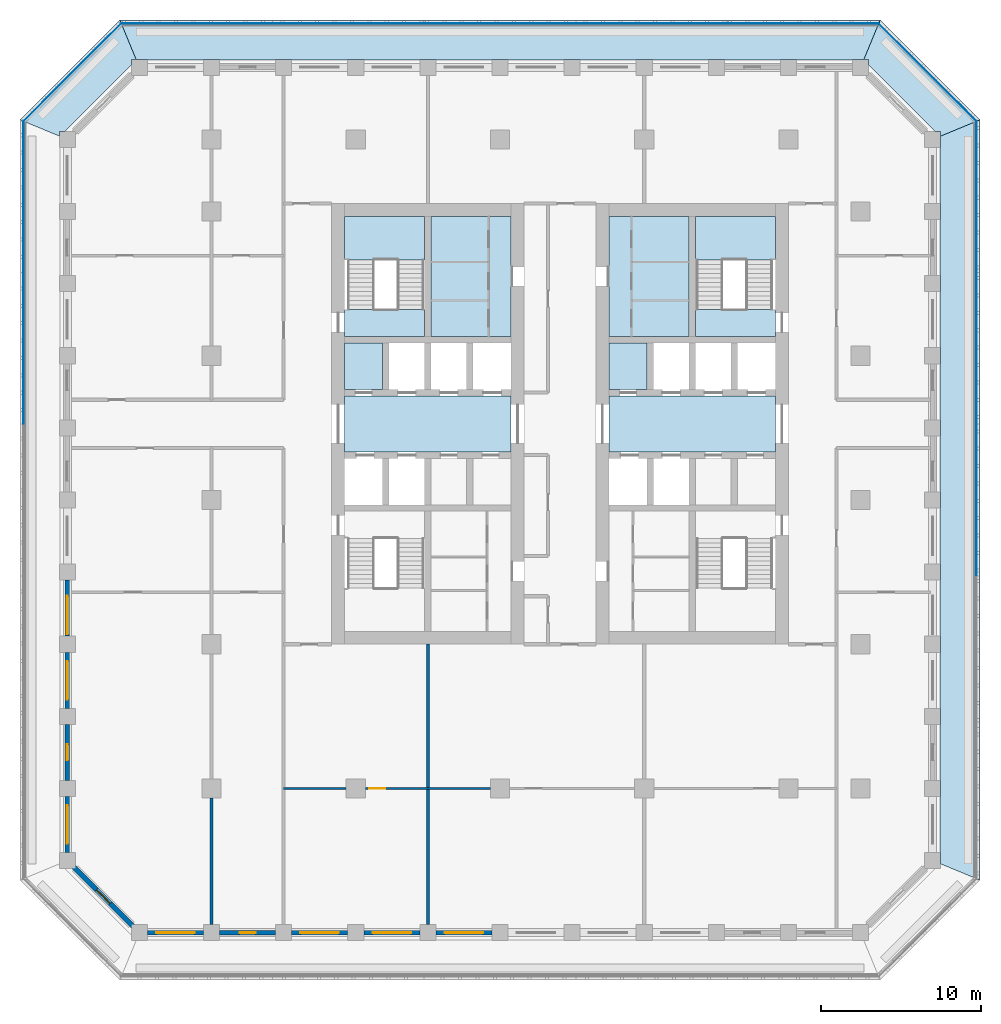
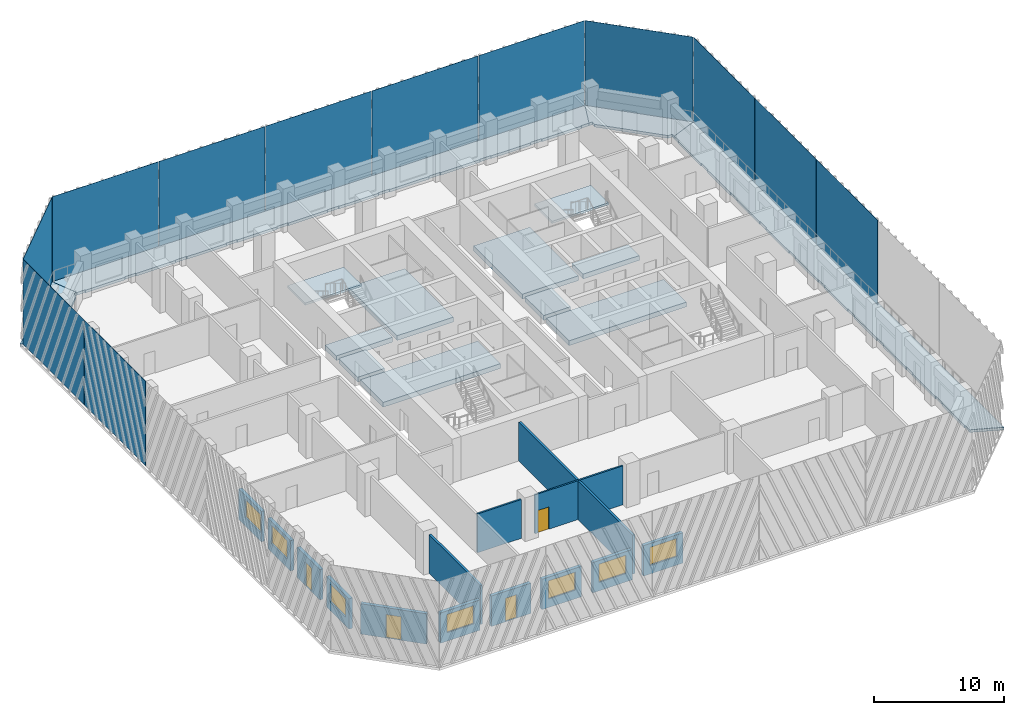
# One storey, part 2 of 16: 14 slabs, 14 walls, 12 plates, 7 windows, 4 doors, 11 openings, 2 elements without a shape of their own.
"""IFC4 building model written with IfcOpenShell, lengths in metres."""

from ifc_helpers import new_model, si_unit, direction, frame, frame_2d, origin, origin_2d, place, context, subcontext, project, spatial, polyline, rectangle, outline, extrude, material, layer, layer_set, type_object, element, fill, aggregate, save


model = new_model("IFC4")

# Units and contexts
model_context = context("Model", 3, precision=1e-05, world=origin(), true_north=direction((0.0, 1.0)))
body_context = subcontext(model_context, "Body", "Model", "MODEL_VIEW")
ifc_project = project(units=[si_unit("LENGTHUNIT", "METRE"), si_unit("AREAUNIT", "SQUARE_METRE"), si_unit("VOLUMEUNIT", "CUBIC_METRE"), si_unit("PLANEANGLEUNIT", "RADIAN"), si_unit("MASSUNIT", "GRAM", prefix="KILO")], contexts=[model_context])

# Site, building, storey
site_placement = place(None, origin())
site = spatial("IfcSite", under=ifc_project, at=site_placement, CompositionType="ELEMENT")
building_placement = place(site_placement, origin())
building = spatial("IfcBuilding", under=site, at=building_placement, Name="Corbel Stack Research Tower", CompositionType="ELEMENT")
storey_placement = place(building_placement, frame((0.0, 0.0, 165.0)))
storey = spatial("IfcBuildingStorey", under=building, at=storey_placement, Name="L37", CompositionType="ELEMENT", Elevation=165.0)

# Plates
ifc_material_1 = material(Name="Fritted glass", Category="glass")
ifc_layer_1 = layer(ifc_material_1, 0.02490234375)
ifc_layer_set_1 = layer_set([ifc_layer_1], Name="Fritted glass")
plate_type = type_object("IfcPlateType", Name="Fritted glass panel 25", PredefinedType="SHEET", material=ifc_layer_set_1)
for number, where, z_axis, x_axis, name in (
    (1, (29.737548828125, 0.0, 0.0), (0.0, 0.0, 1.0), (0.0, 1.0, 0.0), "Fritted glass L37 E3"),
    (2, (29.737548828125, 9.45556640625, 0.0), (0.0, 0.0, 1.0), (0.0, 1.0, 0.0), "Fritted glass L37 E4"),
    (3, (29.737548828125, 18.911376953125, 0.0), (0.0, 0.0, 1.0), (0.0, 1.0, 0.0), "Fritted glass L37 E5"),
):
    element("IfcPlate", number, at=place(storey_placement, frame(where, z_axis=z_axis, x_axis=x_axis)), inside=storey, type_object=plate_type, Name=name, PredefinedType="SHEET", context=body_context, shape_type="SweptSolid", body=[
        extrude(rectangle(XDim=9.3955078125, YDim=0.02490234375, at=origin_2d()), origin(), (0.0, 0.0, 1.0), 7.949951171875),
    ])
plate_1_placement = place(storey_placement, frame((26.685791015625, 26.685791015625, 0.0), z_axis=(0.0, 0.0, 1.0), x_axis=(-0.707106781187, 0.707106781187, 0.0)))
element("IfcPlate", 4, at=plate_1_placement, inside=storey, type_object=plate_type, Name="Fritted glass L37 NE1", PredefinedType="SHEET", context=body_context, shape_type="SweptSolid", body=[
    extrude(rectangle(XDim=8.58203125, YDim=0.02490234375, at=origin_2d()), origin(), (0.0, 0.0, 1.0), 7.949951171875),
])
for number, where, z_axis, x_axis, name in (
    (5, (18.911376953125, 29.737548828125, 0.0), (0.0, 0.0, 1.0), (-1.0, 0.0, 0.0), "Fritted glass L37 N1"),
    (6, (9.45556640625, 29.737548828125, 0.0), (0.0, 0.0, 1.0), (-1.0, 0.0, 0.0), "Fritted glass L37 N2"),
    (7, (0.0, 29.737548828125, 0.0), (0.0, 0.0, 1.0), (-1.0, 0.0, 0.0), "Fritted glass L37 N3"),
    (8, (-9.45556640625, 29.737548828125, 0.0), (0.0, 0.0, 1.0), (-1.0, 0.0, 0.0), "Fritted glass L37 N4"),
    (9, (-18.911376953125, 29.737548828125, 0.0), (0.0, 0.0, 1.0), (-1.0, 0.0, 0.0), "Fritted glass L37 N5"),
):
    element("IfcPlate", number, at=place(storey_placement, frame(where, z_axis=z_axis, x_axis=x_axis)), inside=storey, type_object=plate_type, Name=name, PredefinedType="SHEET", context=body_context, shape_type="SweptSolid", body=[
        extrude(rectangle(XDim=9.3955078125, YDim=0.02490234375, at=origin_2d()), origin(), (0.0, 0.0, 1.0), 7.949951171875),
    ])
plate_2_placement = place(storey_placement, frame((-26.685791015625, 26.685791015625, 0.0), z_axis=(0.0, 0.0, 1.0), x_axis=(-0.707106781187, -0.707106781187, 0.0)))
element("IfcPlate", 10, at=plate_2_placement, inside=storey, type_object=plate_type, Name="Fritted glass L37 NW1", PredefinedType="SHEET", context=body_context, shape_type="SweptSolid", body=[
    extrude(rectangle(XDim=8.58203125, YDim=0.02490234375, at=origin_2d()), origin(), (0.0, 0.0, 1.0), 7.949951171875),
])
for number, where, z_axis, x_axis, name in (
    (11, (-29.737548828125, 18.911376953125, 0.0), (0.0, 0.0, 1.0), (0.0, -1.0, 0.0), "Fritted glass L37 W1"),
    (12, (-29.737548828125, 9.45556640625, 0.0), (0.0, 0.0, 1.0), (0.0, -1.0, 0.0), "Fritted glass L37 W2"),
):
    element("IfcPlate", number, at=place(storey_placement, frame(where, z_axis=z_axis, x_axis=x_axis)), inside=storey, type_object=plate_type, Name=name, PredefinedType="SHEET", context=body_context, shape_type="SweptSolid", body=[
        extrude(rectangle(XDim=9.3955078125, YDim=0.02490234375, at=origin_2d()), origin(), (0.0, 0.0, 1.0), 7.949951171875),
    ])

# Slabs
ifc_material_2 = material(Name="Concrete C45/55", Category="concrete")
ifc_layer_2 = layer(ifc_material_2, 0.25)
ifc_layer_set_2 = layer_set([ifc_layer_2], Name="Concrete C45/55")
slab_type_1 = type_object("IfcSlabType", Name="PT balcony slab 250 C45/55", PredefinedType="FLOOR", material=ifc_layer_set_2)
slab_1_placement = place(storey_placement, frame((0.0, 0.0, -0.25)))
element("IfcSlab", 13, at=slab_1_placement, inside=storey, type_object=slab_type_1, Name="Loggia slab L37 E", PredefinedType="FLOOR", context=body_context, shape_type="SweptSolid", body=[
    extrude(outline(polyline([(27.5, 22.70703125), (27.5, 22.0), (27.449951171875, 22.0), (27.449951171875, 18.5), (27.5, 18.5), (27.5, 17.5), (27.449951171875, 17.5), (27.449951171875, 14.0), (27.5, 14.0), (27.5, 13.0), (27.449951171875, 13.0), (27.449951171875, 9.5), (27.5, 9.5), (27.5, 8.5), (27.449951171875, 8.5), (27.449951171875, 5.0), (27.5, 5.0), (27.5, 4.0), (27.449951171875, 4.0), (27.449951171875, 0.5), (27.5, 0.5), (27.5, -0.5), (27.449951171875, -0.5), (27.449951171875, -4.0), (27.5, -4.0), (27.5, -5.0), (27.449951171875, -5.0), (27.449951171875, -8.5), (27.5, -8.5), (27.5, -9.5), (27.449951171875, -9.5), (27.449951171875, -13.0), (27.5, -13.0), (27.5, -14.0), (27.449951171875, -14.0), (27.449951171875, -17.5), (27.5, -17.5), (27.5, -18.5), (27.449951171875, -18.5), (27.449951171875, -22.0), (27.5, -22.0), (27.5, -22.70703125), (29.949951171875, -23.721923828125), (29.949951171875, 23.721923828125), (27.5, 22.70703125)])), origin(), (0.0, 0.0, 1.0), 0.25),
])
slab_2_placement = place(storey_placement, frame((0.0, 0.0, -0.25)))
element("IfcSlab", 14, at=slab_2_placement, inside=storey, type_object=slab_type_1, Name="Loggia slab L37 NE", PredefinedType="FLOOR", context=body_context, shape_type="SweptSolid", body=[
    extrude(outline(polyline([(22.70703125, 27.5), (23.0, 27.5), (23.0, 27.136474609375), (27.136474609375, 23.0), (27.5, 23.0), (27.5, 22.70703125), (29.949951171875, 23.721923828125), (23.721923828125, 29.949951171875), (22.70703125, 27.5)])), origin(), (0.0, 0.0, 1.0), 0.25),
])
slab_3_placement = place(storey_placement, frame((0.0, 0.0, -0.25)))
element("IfcSlab", 15, at=slab_3_placement, inside=storey, type_object=slab_type_1, Name="Loggia slab L37 N", PredefinedType="FLOOR", context=body_context, shape_type="SweptSolid", body=[
    extrude(outline(polyline([(-22.70703125, 27.5), (-22.0, 27.5), (-22.0, 27.449951171875), (-18.5, 27.449951171875), (-18.5, 27.5), (-17.5, 27.5), (-17.5, 27.449951171875), (-14.0, 27.449951171875), (-14.0, 27.5), (-13.0, 27.5), (-13.0, 27.449951171875), (-9.5, 27.449951171875), (-9.5, 27.5), (-8.5, 27.5), (-8.5, 27.449951171875), (-5.0, 27.449951171875), (-5.0, 27.5), (-4.0, 27.5), (-4.0, 27.449951171875), (-0.5, 27.449951171875), (-0.5, 27.5), (0.5, 27.5), (0.5, 27.449951171875), (4.0, 27.449951171875), (4.0, 27.5), (5.0, 27.5), (5.0, 27.449951171875), (8.5, 27.449951171875), (8.5, 27.5), (9.5, 27.5), (9.5, 27.449951171875), (13.0, 27.449951171875), (13.0, 27.5), (14.0, 27.5), (14.0, 27.449951171875), (17.5, 27.449951171875), (17.5, 27.5), (18.5, 27.5), (18.5, 27.449951171875), (22.0, 27.449951171875), (22.0, 27.5), (22.70703125, 27.5), (23.721923828125, 29.949951171875), (-23.721923828125, 29.949951171875), (-22.70703125, 27.5)])), origin(), (0.0, 0.0, 1.0), 0.25),
])
slab_4_placement = place(storey_placement, frame((0.0, 0.0, -0.25)))
element("IfcSlab", 16, at=slab_4_placement, inside=storey, type_object=slab_type_1, Name="Loggia slab L37 NW", PredefinedType="FLOOR", context=body_context, shape_type="SweptSolid", body=[
    extrude(outline(polyline([(-27.5, 22.70703125), (-27.5, 23.0), (-27.136474609375, 23.0), (-23.0, 27.136474609375), (-23.0, 27.5), (-22.70703125, 27.5), (-23.721923828125, 29.949951171875), (-29.949951171875, 23.721923828125), (-27.5, 22.70703125)])), origin(), (0.0, 0.0, 1.0), 0.25),
])
ifc_material_3 = material(Name="Concrete C45/55", Category="concrete")
ifc_layer_3 = layer(ifc_material_3, 0.449951171875)
ifc_layer_set_3 = layer_set([ifc_layer_3], Name="Concrete C45/55")
slab_type_2 = type_object("IfcSlabType", Name="PT-450", PredefinedType="FLOOR", material=ifc_layer_set_3)
slab_5_placement = place(storey_placement, frame((0.0, 0.0, -0.449951171875)))
element("IfcSlab", 17, at=slab_5_placement, inside=storey, type_object=slab_type_2, Name="West core floor L37", PredefinedType="FLOOR", context=body_context, shape_type="SweptSolid", body=[
    extrude(outline(polyline([(0.699951171875, 6.5), (-9.699951171875, 6.5), (-9.699951171875, 3.0), (0.699951171875, 3.0), (0.699951171875, 6.5)])), origin(), (0.0, 0.0, 1.0), 0.449951171875),
])
slab_6_placement = place(storey_placement, frame((0.0, 0.0, -0.449951171875)))
element("IfcSlab", 18, at=slab_6_placement, inside=storey, type_object=slab_type_2, Name="West core floor L37", PredefinedType="FLOOR", context=body_context, shape_type="SweptSolid", body=[
    extrude(outline(polyline([(-9.699951171875, 6.89990234375), (-7.324951171875, 6.89990234375), (-7.324951171875, 9.800048828125), (-9.699951171875, 9.800048828125), (-9.699951171875, 6.89990234375)])), origin(), (0.0, 0.0, 1.0), 0.449951171875),
])
slab_7_placement = place(storey_placement, frame((0.0, 0.0, -0.449951171875)))
element("IfcSlab", 19, at=slab_7_placement, inside=storey, type_object=slab_type_2, Name="West core floor L37", PredefinedType="FLOOR", context=body_context, shape_type="SweptSolid", body=[
    extrude(outline(polyline([(0.699951171875, 17.699951171875), (-4.300048828125, 17.699951171875), (-4.300048828125, 10.199951171875), (0.699951171875, 10.199951171875), (0.699951171875, 17.699951171875)])), origin(), (0.0, 0.0, 1.0), 0.449951171875),
])
slab_8_placement = place(storey_placement, frame((0.0, 0.0, -0.449951171875)))
element("IfcSlab", 20, at=slab_8_placement, inside=storey, type_object=slab_type_2, Name="East core floor L37", PredefinedType="FLOOR", context=body_context, shape_type="SweptSolid", body=[
    extrude(outline(polyline([(17.199951171875, 6.5), (6.800048828125, 6.5), (6.800048828125, 3.0), (17.199951171875, 3.0), (17.199951171875, 6.5)])), origin(), (0.0, 0.0, 1.0), 0.449951171875),
])
slab_9_placement = place(storey_placement, frame((0.0, 0.0, -0.449951171875)))
element("IfcSlab", 21, at=slab_9_placement, inside=storey, type_object=slab_type_2, Name="East core floor L37", PredefinedType="FLOOR", context=body_context, shape_type="SweptSolid", body=[
    extrude(outline(polyline([(6.800048828125, 6.89990234375), (9.175048828125, 6.89990234375), (9.175048828125, 9.800048828125), (6.800048828125, 9.800048828125), (6.800048828125, 6.89990234375)])), origin(), (0.0, 0.0, 1.0), 0.449951171875),
])
slab_10_placement = place(storey_placement, frame((0.0, 0.0, -0.449951171875)))
element("IfcSlab", 22, at=slab_10_placement, inside=storey, type_object=slab_type_2, Name="East core floor L37", PredefinedType="FLOOR", context=body_context, shape_type="SweptSolid", body=[
    extrude(outline(polyline([(6.800048828125, 17.699951171875), (6.800048828125, 10.199951171875), (11.800048828125, 10.199951171875), (11.800048828125, 17.699951171875), (6.800048828125, 17.699951171875)])), origin(), (0.0, 0.0, 1.0), 0.449951171875),
])
slab_11_placement = place(storey_placement, frame((0.0, 0.0, -0.449951171875)))
element("IfcSlab", 23, at=slab_11_placement, inside=storey, type_object=slab_type_2, Name="Stair floor landing ST-W2", PredefinedType="FLOOR", context=body_context, shape_type="SweptSolid", body=[
    extrude(outline(polyline([(-9.699951171875, 10.199951171875), (-4.699951171875, 10.199951171875), (-4.699951171875, 11.89990234375), (-9.699951171875, 11.89990234375), (-9.699951171875, 10.199951171875)])), origin(), (0.0, 0.0, 1.0), 0.449951171875),
])
slab_12_placement = place(storey_placement, frame((0.0, 0.0, -0.449951171875)))
element("IfcSlab", 24, at=slab_12_placement, inside=storey, type_object=slab_type_2, Name="Stair floor landing ST-E2", PredefinedType="FLOOR", context=body_context, shape_type="SweptSolid", body=[
    extrude(outline(polyline([(12.199951171875, 10.199951171875), (17.199951171875, 10.199951171875), (17.199951171875, 11.89990234375), (12.199951171875, 11.89990234375), (12.199951171875, 10.199951171875)])), origin(), (0.0, 0.0, 1.0), 0.449951171875),
])

# Stair, slab
ifc_material_4 = material(Name="Concrete C40/50", Category="concrete")
stair_type = type_object("IfcStairType", Name="Exit stair 24 risers", PredefinedType="HALF_TURN_STAIR", material=ifc_material_4)
stair_1_placement = place(storey_placement, origin())
stair_1 = element("IfcStair", 25, at=stair_1_placement, inside=storey, type_object=stair_type, Name="L37 Exit stair ST-W2", PredefinedType="HALF_TURN_STAIR")
ifc_material_5 = material(Name="Concrete C40/50", Category="concrete")
ifc_layer_4 = layer(ifc_material_5, 0.199951171875)
ifc_layer_set_4 = layer_set([ifc_layer_4], Name="Concrete C40/50")
slab_type_3 = type_object("IfcSlabType", Name="Stair landing 200 C40/50", PredefinedType="LANDING", material=ifc_layer_set_4)
slab_13_placement = place(storey_placement, frame((0.0, 0.0, 1.85009765625)))
slab_13 = element("IfcSlab", 26, at=slab_13_placement, type_object=slab_type_3, Name="ST-W2 landing 1", PredefinedType="LANDING", context=body_context, shape_type="SweptSolid", body=[
    extrude(outline(polyline([(-9.699951171875, 14.97998046875), (-9.699951171875, 17.699951171875), (-4.699951171875, 17.699951171875), (-4.699951171875, 14.97998046875), (-9.699951171875, 14.97998046875)])), origin(), (0.0, 0.0, 1.0), 0.199951171875),
])
aggregate(stair_1, [slab_13])

stair_2_placement = place(storey_placement, origin())
stair_2 = element("IfcStair", 27, at=stair_2_placement, inside=storey, type_object=stair_type, Name="L37 Exit stair ST-E2", PredefinedType="HALF_TURN_STAIR")
slab_14_placement = place(storey_placement, frame((0.0, 0.0, 1.85009765625)))
slab_14 = element("IfcSlab", 28, at=slab_14_placement, type_object=slab_type_3, Name="ST-E2 landing 1", PredefinedType="LANDING", context=body_context, shape_type="SweptSolid", body=[
    extrude(outline(polyline([(12.199951171875, 14.97998046875), (12.199951171875, 17.699951171875), (17.199951171875, 17.699951171875), (17.199951171875, 14.97998046875), (12.199951171875, 14.97998046875)])), origin(), (0.0, 0.0, 1.0), 0.199951171875),
])
aggregate(stair_2, [slab_14])

# Walls
ifc_material_6 = material(Name="Fire-rated gypsum board partition on steel studs", Category="steel")
ifc_layer_5 = layer(ifc_material_6, 0.199951171875)
ifc_layer_set_5 = layer_set([ifc_layer_5], Name="Fire-rated gypsum board partition on steel studs")
wall_type_1 = type_object("IfcWallType", Name="Fire-rated partition 200 EI 60", PredefinedType="PARTITIONING", material=ifc_layer_set_5)
wall_1_placement = place(storey_placement, frame((-18.0, -26.5, 0.0), z_axis=(0.0, 0.0, 1.0), x_axis=(0.0, 1.0, 0.0)))
element("IfcWall", 29, at=wall_1_placement, inside=storey, type_object=wall_type_1, Name="Partition L37-001", PredefinedType="PARTITIONING", context=body_context, shape_type="SweptSolid", body=[
    extrude(rectangle(XDim=7.89990234375, YDim=0.199951171875, at=frame_2d((3.949951171875, 0.0))), origin(), (0.0, 0.0, 1.0), 3.64990234375),
])
wall_2_placement = place(storey_placement, frame((-4.5, -26.5, 0.0), z_axis=(0.0, 0.0, 1.0), x_axis=(0.0, 1.0, 0.0)))
element("IfcWall", 30, at=wall_2_placement, inside=storey, type_object=wall_type_1, Name="Partition L37-011", PredefinedType="PARTITIONING", context=body_context, shape_type="SweptSolid", body=[
    extrude(rectangle(XDim=17.5, YDim=0.199951171875, at=frame_2d((8.75, 0.0))), origin(), (0.0, 0.0, 1.0), 3.64990234375),
])
ifc_material_7 = material(Name="Gypsum board partition on steel studs", Category="steel")
ifc_layer_6 = layer(ifc_material_7, 0.14990234375)
ifc_layer_set_6 = layer_set([ifc_layer_6], Name="Gypsum board partition on steel studs")
wall_type_2 = type_object("IfcWallType", Name="Partition 150", PredefinedType="PARTITIONING", material=ifc_layer_set_6)
wall_3_placement = place(storey_placement, frame((-13.5, -18.0, 0.0), z_axis=(0.0, 0.0, 1.0), x_axis=(1.0, 0.0, 0.0)))
element("IfcWall", 31, at=wall_3_placement, inside=storey, type_object=wall_type_2, Name="Partition L37-022", PredefinedType="PARTITIONING", context=body_context, shape_type="SweptSolid", body=[
    extrude(rectangle(XDim=3.89990234375, YDim=0.14990234375, at=frame_2d((1.949951171875, 0.0))), origin(), (0.0, 0.0, 1.0), 3.64990234375),
])

# Wall, opening, door
wall_4_placement = place(storey_placement, frame((-0.60009765625, -18.0, 0.0), z_axis=(0.0, 0.0, 1.0), x_axis=(-1.0, 0.0, 0.0)))
wall_4 = element("IfcWall", 32, at=wall_4_placement, inside=storey, type_object=wall_type_2, Name="Partition L37-023", PredefinedType="PARTITIONING", context=body_context, shape_type="SweptSolid", body=[
    extrude(rectangle(XDim=7.7998046875, YDim=0.14990234375, at=frame_2d((3.89990234375, 0.0))), origin(), (0.0, 0.0, 1.0), 3.64990234375),
])
opening_1_placement = place(wall_4_placement, frame((6.550048828125, 0.0, 0.0)))
opening_1 = element("IfcOpeningElement", 33, at=opening_1_placement, cuts=wall_4, Name="Opening B5V1-001", PredefinedType="OPENING", context=body_context, shape_type="SweptSolid", body=[
    extrude(rectangle(XDim=1.0, YDim=2.10009765625, at=frame_2d((0.5, 1.050048828125))), frame((0.0, 0.0849609375, 0.0), z_axis=(0.0, -1.0, 0.0), x_axis=(1.0, 0.0, 0.0)), (0.0, 0.0, 1.0), 0.169921875),
])
ifc_material_8 = material(Name="Painted timber door", Category="wood")
door_type_1 = type_object("IfcDoorType", Name="Single door 1000 x 2100", OperationType="NOTDEFINED", PredefinedType="DOOR", material=ifc_material_8)
door_1_placement = place(opening_1_placement, origin())
door_1 = element("IfcDoor", 34, at=door_1_placement, inside=storey, type_object=door_type_1, Name="Door B5V1-001", OperationType="SINGLE_SWING_RIGHT", OverallHeight=2.10009765625, OverallWidth=1.0, PredefinedType="DOOR", context=body_context, shape_type="SweptSolid", body=[
    extrude(rectangle(XDim=1.0, YDim=2.10009765625, at=frame_2d((0.5, 1.050048828125))), frame((0.0, 0.02490234375, 0.0), z_axis=(0.0, -1.0, 0.0), x_axis=(1.0, 0.0, 0.0)), (0.0, 0.0, 1.0), 0.050048828125),
])
fill(opening_1, door_1)

# Wall, opening, window
ifc_material_9 = material(Name="Concrete C45/55", Category="concrete")
ifc_layer_7 = layer(ifc_material_9, 0.300048828125)
ifc_layer_set_7 = layer_set([ifc_layer_7], Name="Concrete C45/55")
wall_type_3 = type_object("IfcWallType", Name="Terracotta-faced concrete wall 300", PredefinedType="SOLIDWALL", material=ifc_layer_set_7)
wall_5_placement = place(storey_placement, frame((-18.5, -27.0, 0.0), z_axis=(0.0, 0.0, 1.0), x_axis=(-1.0, 0.0, 0.0)))
wall_5 = element("IfcWall", 35, at=wall_5_placement, inside=storey, type_object=wall_type_3, Name="Facade wall L37 S01", PredefinedType="SOLIDWALL", context=body_context, shape_type="SweptSolid", body=[
    extrude(rectangle(XDim=3.5, YDim=0.300048828125, at=frame_2d((1.75, 0.0))), origin(), (0.0, 0.0, 1.0), 2.85009765625),
])
opening_2_placement = place(wall_5_placement, frame((0.550048828125, 0.0, 0.800048828125)))
opening_2 = element("IfcOpeningElement", 36, at=opening_2_placement, cuts=wall_5, Name="Opening W1", PredefinedType="OPENING", context=body_context, shape_type="SweptSolid", body=[
    extrude(rectangle(XDim=2.39990234375, YDim=1.699951171875, at=frame_2d((1.199951171875, 0.85009765625))), frame((0.0, 0.159912109375, 0.0), z_axis=(0.0, -1.0, 0.0), x_axis=(1.0, 0.0, 0.0)), (0.0, 0.0, 1.0), 0.320068359375),
])
ifc_material_10 = material(Name="Aluminium frame, clear double glazing", Category="aluminium")
window_type = type_object("IfcWindowType", Name="Window W1 2400 x 1700", PartitioningType="SINGLE_PANEL", PredefinedType="WINDOW", material=ifc_material_10)
window_1_placement = place(opening_2_placement, origin())
window_1 = element("IfcWindow", 37, at=window_1_placement, inside=storey, type_object=window_type, Name="Window W1 L37 S01", OverallHeight=1.699951171875, OverallWidth=2.39990234375, PartitioningType="SINGLE_PANEL", PredefinedType="WINDOW", context=body_context, shape_type="SweptSolid", body=[
    extrude(rectangle(XDim=2.39990234375, YDim=1.699951171875, at=frame_2d((1.199951171875, 0.85009765625))), frame((0.0, 0.030029296875, 0.0), z_axis=(0.0, -1.0, 0.0), x_axis=(1.0, 0.0, 0.0)), (0.0, 0.0, 1.0), 0.06005859375),
])
fill(opening_2, window_1)

# Wall, opening, door
wall_6_placement = place(storey_placement, frame((-14.0, -27.0, 0.0), z_axis=(0.0, 0.0, 1.0), x_axis=(-1.0, 0.0, 0.0)))
wall_6 = element("IfcWall", 38, at=wall_6_placement, inside=storey, type_object=wall_type_3, Name="Facade wall L37 S02", PredefinedType="SOLIDWALL", context=body_context, shape_type="SweptSolid", body=[
    extrude(rectangle(XDim=3.5, YDim=0.300048828125, at=frame_2d((1.75, 0.0))), origin(), (0.0, 0.0, 1.0), 2.85009765625),
])
opening_3_placement = place(wall_6_placement, frame((1.25, 0.0, 0.0)))
opening_3 = element("IfcOpeningElement", 39, at=opening_3_placement, cuts=wall_6, Name="Opening L37-B01", PredefinedType="OPENING", context=body_context, shape_type="SweptSolid", body=[
    extrude(rectangle(XDim=1.0, YDim=2.199951171875, at=frame_2d((0.5, 1.10009765625))), frame((0.0, 0.159912109375, 0.0), z_axis=(0.0, -1.0, 0.0), x_axis=(1.0, 0.0, 0.0)), (0.0, 0.0, 1.0), 0.320068359375),
])
ifc_material_11 = material(Name="Aluminium frame, clear double glazing", Category="aluminium")
door_type_2 = type_object("IfcDoorType", Name="Balcony door BD1 1000 x 2200", OperationType="NOTDEFINED", PredefinedType="DOOR", material=ifc_material_11)
door_2_placement = place(opening_3_placement, origin())
door_2 = element("IfcDoor", 40, at=door_2_placement, inside=storey, type_object=door_type_2, Name="Balcony door L37-B01", OperationType="SINGLE_SWING_LEFT", OverallHeight=2.199951171875, OverallWidth=1.0, PredefinedType="DOOR", context=body_context, shape_type="SweptSolid", body=[
    extrude(rectangle(XDim=1.0, YDim=2.199951171875, at=frame_2d((0.5, 1.10009765625))), frame((0.0, 0.02490234375, 0.0), z_axis=(0.0, -1.0, 0.0), x_axis=(1.0, 0.0, 0.0)), (0.0, 0.0, 1.0), 0.050048828125),
])
fill(opening_3, door_2)

# Wall, opening, window
wall_7_placement = place(storey_placement, frame((-9.5, -27.0, 0.0), z_axis=(0.0, 0.0, 1.0), x_axis=(-1.0, 0.0, 0.0)))
wall_7 = element("IfcWall", 41, at=wall_7_placement, inside=storey, type_object=wall_type_3, Name="Facade wall L37 S03", PredefinedType="SOLIDWALL", context=body_context, shape_type="SweptSolid", body=[
    extrude(rectangle(XDim=3.5, YDim=0.300048828125, at=frame_2d((1.75, 0.0))), origin(), (0.0, 0.0, 1.0), 2.85009765625),
])
opening_4_placement = place(wall_7_placement, frame((0.550048828125, 0.0, 0.800048828125)))
opening_4 = element("IfcOpeningElement", 42, at=opening_4_placement, cuts=wall_7, Name="Opening W1", PredefinedType="OPENING", context=body_context, shape_type="SweptSolid", body=[
    extrude(rectangle(XDim=2.39990234375, YDim=1.699951171875, at=frame_2d((1.199951171875, 0.85009765625))), frame((0.0, 0.159912109375, 0.0), z_axis=(0.0, -1.0, 0.0), x_axis=(1.0, 0.0, 0.0)), (0.0, 0.0, 1.0), 0.320068359375),
])
window_2_placement = place(opening_4_placement, origin())
window_2 = element("IfcWindow", 43, at=window_2_placement, inside=storey, type_object=window_type, Name="Window W1 L37 S03", OverallHeight=1.699951171875, OverallWidth=2.39990234375, PartitioningType="SINGLE_PANEL", PredefinedType="WINDOW", context=body_context, shape_type="SweptSolid", body=[
    extrude(rectangle(XDim=2.39990234375, YDim=1.699951171875, at=frame_2d((1.199951171875, 0.85009765625))), frame((0.0, 0.030029296875, 0.0), z_axis=(0.0, -1.0, 0.0), x_axis=(1.0, 0.0, 0.0)), (0.0, 0.0, 1.0), 0.06005859375),
])
fill(opening_4, window_2)

wall_8_placement = place(storey_placement, frame((-5.0, -27.0, 0.0), z_axis=(0.0, 0.0, 1.0), x_axis=(-1.0, 0.0, 0.0)))
wall_8 = element("IfcWall", 44, at=wall_8_placement, inside=storey, type_object=wall_type_3, Name="Facade wall L37 S04", PredefinedType="SOLIDWALL", context=body_context, shape_type="SweptSolid", body=[
    extrude(rectangle(XDim=3.5, YDim=0.300048828125, at=frame_2d((1.75, 0.0))), origin(), (0.0, 0.0, 1.0), 2.85009765625),
])
opening_5_placement = place(wall_8_placement, frame((0.550048828125, 0.0, 0.800048828125)))
opening_5 = element("IfcOpeningElement", 45, at=opening_5_placement, cuts=wall_8, Name="Opening W1", PredefinedType="OPENING", context=body_context, shape_type="SweptSolid", body=[
    extrude(rectangle(XDim=2.39990234375, YDim=1.699951171875, at=frame_2d((1.199951171875, 0.85009765625))), frame((0.0, 0.159912109375, 0.0), z_axis=(0.0, -1.0, 0.0), x_axis=(1.0, 0.0, 0.0)), (0.0, 0.0, 1.0), 0.320068359375),
])
window_3_placement = place(opening_5_placement, origin())
window_3 = element("IfcWindow", 46, at=window_3_placement, inside=storey, type_object=window_type, Name="Window W1 L37 S04", OverallHeight=1.699951171875, OverallWidth=2.39990234375, PartitioningType="SINGLE_PANEL", PredefinedType="WINDOW", context=body_context, shape_type="SweptSolid", body=[
    extrude(rectangle(XDim=2.39990234375, YDim=1.699951171875, at=frame_2d((1.199951171875, 0.85009765625))), frame((0.0, 0.030029296875, 0.0), z_axis=(0.0, -1.0, 0.0), x_axis=(1.0, 0.0, 0.0)), (0.0, 0.0, 1.0), 0.06005859375),
])
fill(opening_5, window_3)

wall_9_placement = place(storey_placement, frame((-0.5, -27.0, 0.0), z_axis=(0.0, 0.0, 1.0), x_axis=(-1.0, 0.0, 0.0)))
wall_9 = element("IfcWall", 47, at=wall_9_placement, inside=storey, type_object=wall_type_3, Name="Facade wall L37 S05", PredefinedType="SOLIDWALL", context=body_context, shape_type="SweptSolid", body=[
    extrude(rectangle(XDim=3.5, YDim=0.300048828125, at=frame_2d((1.75, 0.0))), origin(), (0.0, 0.0, 1.0), 2.85009765625),
])
opening_6_placement = place(wall_9_placement, frame((0.550048828125, 0.0, 0.800048828125)))
opening_6 = element("IfcOpeningElement", 48, at=opening_6_placement, cuts=wall_9, Name="Opening W1", PredefinedType="OPENING", context=body_context, shape_type="SweptSolid", body=[
    extrude(rectangle(XDim=2.39990234375, YDim=1.699951171875, at=frame_2d((1.199951171875, 0.85009765625))), frame((0.0, 0.159912109375, 0.0), z_axis=(0.0, -1.0, 0.0), x_axis=(1.0, 0.0, 0.0)), (0.0, 0.0, 1.0), 0.320068359375),
])
window_4_placement = place(opening_6_placement, origin())
window_4 = element("IfcWindow", 49, at=window_4_placement, inside=storey, type_object=window_type, Name="Window W1 L37 S05", OverallHeight=1.699951171875, OverallWidth=2.39990234375, PartitioningType="SINGLE_PANEL", PredefinedType="WINDOW", context=body_context, shape_type="SweptSolid", body=[
    extrude(rectangle(XDim=2.39990234375, YDim=1.699951171875, at=frame_2d((1.199951171875, 0.85009765625))), frame((0.0, 0.030029296875, 0.0), z_axis=(0.0, -1.0, 0.0), x_axis=(1.0, 0.0, 0.0)), (0.0, 0.0, 1.0), 0.06005859375),
])
fill(opening_6, window_4)

wall_10_placement = place(storey_placement, frame((-27.0, -8.5, 0.0), z_axis=(0.0, 0.0, 1.0), x_axis=(0.0, 1.0, 0.0)))
wall_10 = element("IfcWall", 50, at=wall_10_placement, inside=storey, type_object=wall_type_3, Name="Facade wall L37 W07", PredefinedType="SOLIDWALL", context=body_context, shape_type="SweptSolid", body=[
    extrude(rectangle(XDim=3.5, YDim=0.300048828125, at=frame_2d((1.75, 0.0))), origin(), (0.0, 0.0, 1.0), 2.85009765625),
])
opening_7_placement = place(wall_10_placement, frame((0.112548828125, 0.0, 0.800048828125)))
opening_7 = element("IfcOpeningElement", 51, at=opening_7_placement, cuts=wall_10, Name="Opening W1", PredefinedType="OPENING", context=body_context, shape_type="SweptSolid", body=[
    extrude(rectangle(XDim=2.39990234375, YDim=1.699951171875, at=frame_2d((1.199951171875, 0.85009765625))), frame((0.0, 0.159912109375, 0.0), z_axis=(0.0, -1.0, 0.0), x_axis=(1.0, 0.0, 0.0)), (0.0, 0.0, 1.0), 0.320068359375),
])
window_5_placement = place(opening_7_placement, origin())
window_5 = element("IfcWindow", 52, at=window_5_placement, inside=storey, type_object=window_type, Name="Window W1 L37 W07", OverallHeight=1.699951171875, OverallWidth=2.39990234375, PartitioningType="SINGLE_PANEL", PredefinedType="WINDOW", context=body_context, shape_type="SweptSolid", body=[
    extrude(rectangle(XDim=2.39990234375, YDim=1.699951171875, at=frame_2d((1.199951171875, 0.85009765625))), frame((0.0, 0.030029296875, 0.0), z_axis=(0.0, -1.0, 0.0), x_axis=(1.0, 0.0, 0.0)), (0.0, 0.0, 1.0), 0.06005859375),
])
fill(opening_7, window_5)

wall_11_placement = place(storey_placement, frame((-27.0, -13.0, 0.0), z_axis=(0.0, 0.0, 1.0), x_axis=(0.0, 1.0, 0.0)))
wall_11 = element("IfcWall", 53, at=wall_11_placement, inside=storey, type_object=wall_type_3, Name="Facade wall L37 W08", PredefinedType="SOLIDWALL", context=body_context, shape_type="SweptSolid", body=[
    extrude(rectangle(XDim=3.5, YDim=0.300048828125, at=frame_2d((1.75, 0.0))), origin(), (0.0, 0.0, 1.0), 2.85009765625),
])
opening_8_placement = place(wall_11_placement, frame((0.550048828125, 0.0, 0.800048828125)))
opening_8 = element("IfcOpeningElement", 54, at=opening_8_placement, cuts=wall_11, Name="Opening W1", PredefinedType="OPENING", context=body_context, shape_type="SweptSolid", body=[
    extrude(rectangle(XDim=2.39990234375, YDim=1.699951171875, at=frame_2d((1.199951171875, 0.85009765625))), frame((0.0, 0.159912109375, 0.0), z_axis=(0.0, -1.0, 0.0), x_axis=(1.0, 0.0, 0.0)), (0.0, 0.0, 1.0), 0.320068359375),
])
window_6_placement = place(opening_8_placement, origin())
window_6 = element("IfcWindow", 55, at=window_6_placement, inside=storey, type_object=window_type, Name="Window W1 L37 W08", OverallHeight=1.699951171875, OverallWidth=2.39990234375, PartitioningType="SINGLE_PANEL", PredefinedType="WINDOW", context=body_context, shape_type="SweptSolid", body=[
    extrude(rectangle(XDim=2.39990234375, YDim=1.699951171875, at=frame_2d((1.199951171875, 0.85009765625))), frame((0.0, 0.030029296875, 0.0), z_axis=(0.0, -1.0, 0.0), x_axis=(1.0, 0.0, 0.0)), (0.0, 0.0, 1.0), 0.06005859375),
])
fill(opening_8, window_6)

# Wall, opening, door
wall_12_placement = place(storey_placement, frame((-27.0, -17.5, 0.0), z_axis=(0.0, 0.0, 1.0), x_axis=(0.0, 1.0, 0.0)))
wall_12 = element("IfcWall", 56, at=wall_12_placement, inside=storey, type_object=wall_type_3, Name="Facade wall L37 W09", PredefinedType="SOLIDWALL", context=body_context, shape_type="SweptSolid", body=[
    extrude(rectangle(XDim=3.5, YDim=0.300048828125, at=frame_2d((1.75, 0.0))), origin(), (0.0, 0.0, 1.0), 2.85009765625),
])
opening_9_placement = place(wall_12_placement, frame((1.25, 0.0, 0.0)))
opening_9 = element("IfcOpeningElement", 57, at=opening_9_placement, cuts=wall_12, Name="Opening L37-B11", PredefinedType="OPENING", context=body_context, shape_type="SweptSolid", body=[
    extrude(rectangle(XDim=1.0, YDim=2.199951171875, at=frame_2d((0.5, 1.10009765625))), frame((0.0, 0.159912109375, 0.0), z_axis=(0.0, -1.0, 0.0), x_axis=(1.0, 0.0, 0.0)), (0.0, 0.0, 1.0), 0.320068359375),
])
door_3_placement = place(opening_9_placement, origin())
door_3 = element("IfcDoor", 58, at=door_3_placement, inside=storey, type_object=door_type_2, Name="Balcony door L37-B11", OperationType="SINGLE_SWING_RIGHT", OverallHeight=2.199951171875, OverallWidth=1.0, PredefinedType="DOOR", context=body_context, shape_type="SweptSolid", body=[
    extrude(rectangle(XDim=1.0, YDim=2.199951171875, at=frame_2d((0.5, 1.10009765625))), frame((0.0, 0.02490234375, 0.0), z_axis=(0.0, -1.0, 0.0), x_axis=(1.0, 0.0, 0.0)), (0.0, 0.0, 1.0), 0.050048828125),
])
fill(opening_9, door_3)

# Wall, opening, window
wall_13_placement = place(storey_placement, frame((-27.0, -22.0, 0.0), z_axis=(0.0, 0.0, 1.0), x_axis=(0.0, 1.0, 0.0)))
wall_13 = element("IfcWall", 59, at=wall_13_placement, inside=storey, type_object=wall_type_3, Name="Facade wall L37 W10", PredefinedType="SOLIDWALL", context=body_context, shape_type="SweptSolid", body=[
    extrude(rectangle(XDim=3.5, YDim=0.300048828125, at=frame_2d((1.75, 0.0))), origin(), (0.0, 0.0, 1.0), 2.85009765625),
])
opening_10_placement = place(wall_13_placement, frame((0.550048828125, 0.0, 0.800048828125)))
opening_10 = element("IfcOpeningElement", 60, at=opening_10_placement, cuts=wall_13, Name="Opening W1", PredefinedType="OPENING", context=body_context, shape_type="SweptSolid", body=[
    extrude(rectangle(XDim=2.39990234375, YDim=1.699951171875, at=frame_2d((1.199951171875, 0.85009765625))), frame((0.0, 0.159912109375, 0.0), z_axis=(0.0, -1.0, 0.0), x_axis=(1.0, 0.0, 0.0)), (0.0, 0.0, 1.0), 0.320068359375),
])
window_7_placement = place(opening_10_placement, origin())
window_7 = element("IfcWindow", 61, at=window_7_placement, inside=storey, type_object=window_type, Name="Window W1 L37 W10", OverallHeight=1.699951171875, OverallWidth=2.39990234375, PartitioningType="SINGLE_PANEL", PredefinedType="WINDOW", context=body_context, shape_type="SweptSolid", body=[
    extrude(rectangle(XDim=2.39990234375, YDim=1.699951171875, at=frame_2d((1.199951171875, 0.85009765625))), frame((0.0, 0.030029296875, 0.0), z_axis=(0.0, -1.0, 0.0), x_axis=(1.0, 0.0, 0.0)), (0.0, 0.0, 1.0), 0.06005859375),
])
fill(opening_10, window_7)

# Wall, opening, door
wall_14_placement = place(storey_placement, frame((-22.893798828125, -26.606201171875, 0.0), z_axis=(0.0, 0.0, 1.0), x_axis=(-0.707106781187, 0.707106781187, 0.0)))
wall_14 = element("IfcWall", 62, at=wall_14_placement, inside=storey, type_object=wall_type_3, Name="Facade wall L37 SW01", PredefinedType="SOLIDWALL", context=body_context, shape_type="SweptSolid", body=[
    extrude(rectangle(XDim=5.250244140625, YDim=0.300048828125, at=frame_2d((2.625, 0.0))), origin(), (0.0, 0.0, 1.0), 2.85009765625),
])
opening_11_placement = place(wall_14_placement, frame((2.02490234375, 0.0, 0.0)))
opening_11 = element("IfcOpeningElement", 63, at=opening_11_placement, cuts=wall_14, Name="Opening L37-B12", PredefinedType="OPENING", context=body_context, shape_type="SweptSolid", body=[
    extrude(rectangle(XDim=1.199951171875, YDim=2.199951171875, at=frame_2d((0.60009765625, 1.10009765625))), frame((0.0, 0.159912109375, 0.0), z_axis=(0.0, -1.0, 0.0), x_axis=(1.0, 0.0, 0.0)), (0.0, 0.0, 1.0), 0.320068359375),
])
ifc_material_12 = material(Name="Aluminium frame, clear double glazing", Category="aluminium")
door_type_3 = type_object("IfcDoorType", Name="Balcony door BD2 1200 x 2200", OperationType="NOTDEFINED", PredefinedType="DOOR", material=ifc_material_12)
door_4_placement = place(opening_11_placement, origin())
door_4 = element("IfcDoor", 64, at=door_4_placement, inside=storey, type_object=door_type_3, Name="Balcony door L37-B12", OperationType="SINGLE_SWING_RIGHT", OverallHeight=2.199951171875, OverallWidth=1.199951171875, PredefinedType="DOOR", context=body_context, shape_type="SweptSolid", body=[
    extrude(rectangle(XDim=1.199951171875, YDim=2.199951171875, at=frame_2d((0.60009765625, 1.10009765625))), frame((0.0, 0.02490234375, 0.0), z_axis=(0.0, -1.0, 0.0), x_axis=(1.0, 0.0, 0.0)), (0.0, 0.0, 1.0), 0.050048828125),
])
fill(opening_11, door_4)

save(model, "model.ifc")
